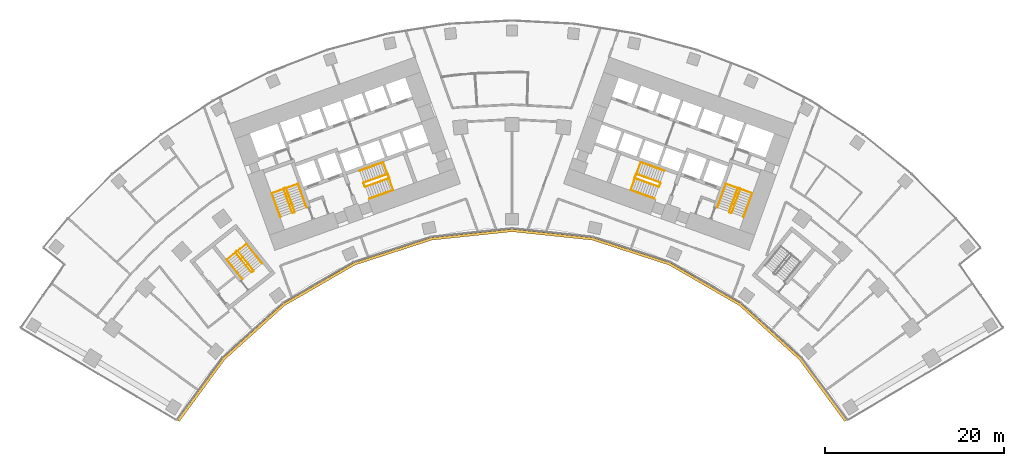
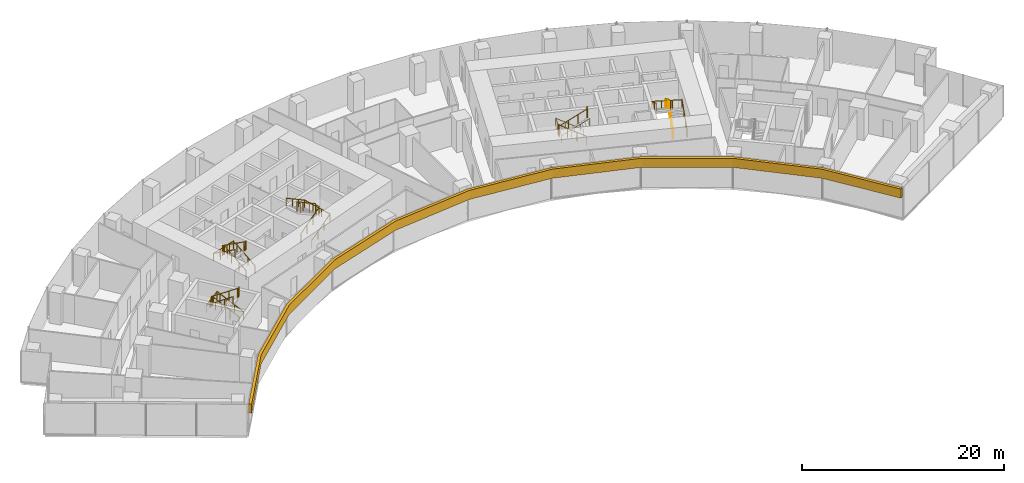
# One storey, part 20 of 21: 15 railings, 1 covering.
"""IFC4 building model written with IfcOpenShell, lengths in metres."""

from ifc_helpers import new_model, si_unit, direction, frame, origin, origin_2d, place, context, subcontext, project, spatial, polyline, circle, outline, extrude, material, layer, layer_set, type_object, element, save


model = new_model("IFC4")

# Units and contexts
model_context = context("Model", 3, precision=1e-05, world=origin(), true_north=direction((0.0, 1.0)))
body_context = subcontext(model_context, "Body", "Model", "MODEL_VIEW")
ifc_project = project(units=[si_unit("LENGTHUNIT", "METRE"), si_unit("AREAUNIT", "SQUARE_METRE"), si_unit("VOLUMEUNIT", "CUBIC_METRE"), si_unit("PLANEANGLEUNIT", "RADIAN"), si_unit("MASSUNIT", "GRAM", prefix="KILO")], contexts=[model_context])

# Site, building, storey
site_placement = place(None, origin())
site = spatial("IfcSite", under=ifc_project, at=site_placement, CompositionType="ELEMENT")
building_placement = place(site_placement, origin())
building = spatial("IfcBuilding", under=site, at=building_placement, Name="Stone Belt Terrace Tower", CompositionType="ELEMENT")
storey_placement = place(building_placement, frame((0.0, 0.0, 33.800048828125)))
storey = spatial("IfcBuildingStorey", under=building, at=storey_placement, Name="L07", CompositionType="ELEMENT", Elevation=33.800048828125)

# Railings
ifc_material_1 = material(Name="Structural steel C345", Category="steel")
railing_type_1 = type_object("IfcRailingType", Name="Stair guard 1100", PredefinedType="GUARDRAIL", material=ifc_material_1)
railing_1_placement = place(storey_placement, frame((-24.2119140625, 45.276123046875, 0.172607421875)))
element("IfcRailing", 1, at=railing_1_placement, inside=storey, type_object=railing_type_1, Name="L07 ST1A stair guard 1", PredefinedType="GUARDRAIL", context=body_context, shape_type="SweptSolid", body=[
    extrude(circle(Radius=0.02392578125, at=origin_2d()), frame((0.0, 0.0, 1.076171875), z_axis=(-0.288228637646, 0.800791768495, 0.525030280985), x_axis=(-0.940908529223, -0.338660803216, 0.0)), (0.0, 0.0, 1.0), 3.289794921875),
    extrude(circle(Radius=0.02392578125, at=origin_2d()), frame((-0.9482421875, 2.634521484375, 2.80322265625), z_axis=(-0.905209821074, 0.424964916, 0.0), x_axis=(-0.424964916, -0.905209821074, 0.0)), (0.0, 0.0, 1.0), 0.070556640625),
    extrude(circle(Radius=0.02392578125, at=origin_2d()), frame((-1.01220703125, 2.66455078125, 2.80322265625), z_axis=(-0.941105063269, -0.338114270461, 0.0), x_axis=(0.338114270461, -0.941105063269, 0.0)), (0.0, 0.0, 1.0), 0.199951171875),
    extrude(circle(Radius=0.02099609375, at=origin_2d()), origin(), (0.0, 0.0, 1.0), 1.052001953125),
    extrude(circle(Radius=0.02099609375, at=origin_2d()), frame((-0.316162109375, 0.878173828125, 0.57568359375)), (0.0, 0.0, 1.0), 1.052001953125),
    extrude(circle(Radius=0.02099609375, at=origin_2d()), frame((-0.632080078125, 1.75634765625, 1.151611328125)), (0.0, 0.0, 1.0), 1.052001953125),
    extrude(circle(Radius=0.02099609375, at=origin_2d()), frame((-0.9482421875, 2.634521484375, 1.727294921875)), (0.0, 0.0, 1.0), 1.052001953125),
    extrude(circle(Radius=0.02099609375, at=origin_2d()), frame((-1.01220703125, 2.66455078125, 1.727294921875)), (0.0, 0.0, 1.0), 1.052001953125),
    extrude(circle(Radius=0.02099609375, at=origin_2d()), frame((-1.200439453125, 2.596923828125, 1.727294921875)), (0.0, 0.0, 1.0), 1.052001953125),
])
railing_2_placement = place(storey_placement, frame((-25.4423828125, 47.80908203125, 2.07275390625)))
element("IfcRailing", 2, at=railing_2_placement, inside=storey, type_object=railing_type_1, Name="L07 ST1A stair guard 2", PredefinedType="GUARDRAIL", context=body_context, shape_type="SweptSolid", body=[
    extrude(circle(Radius=0.02392578125, at=origin_2d()), frame((0.0, 0.0, 1.076171875), z_axis=(0.288228637646, -0.800791768495, 0.525030280985), x_axis=(0.940908529223, 0.338660803216, 0.0)), (0.0, 0.0, 1.0), 3.289794921875),
    extrude(circle(Radius=0.02392578125, at=origin_2d()), frame((0.9482421875, -2.634521484375, 2.80322265625), z_axis=(0.903878284585, -0.427789722475, 0.0), x_axis=(0.427789722475, 0.903878284585, 0.0)), (0.0, 0.0, 1.0), 0.07080078125),
    extrude(circle(Radius=0.02392578125, at=origin_2d()), frame((1.01220703125, -2.664794921875, 2.80322265625), z_axis=(0.940575576748, 0.339584429008, 0.0), x_axis=(-0.339584429008, 0.940575576748, 0.0)), (0.0, 0.0, 1.0), 0.199951171875),
    extrude(circle(Radius=0.02099609375, at=origin_2d()), origin(), (0.0, 0.0, 1.0), 1.052001953125),
    extrude(circle(Radius=0.02099609375, at=origin_2d()), frame((0.316162109375, -0.878173828125, 0.57568359375)), (0.0, 0.0, 1.0), 1.052001953125),
    extrude(circle(Radius=0.02099609375, at=origin_2d()), frame((0.632080078125, -1.75634765625, 1.151611328125)), (0.0, 0.0, 1.0), 1.052001953125),
    extrude(circle(Radius=0.02099609375, at=origin_2d()), frame((0.9482421875, -2.634521484375, 1.727294921875)), (0.0, 0.0, 1.0), 1.052001953125),
    extrude(circle(Radius=0.02099609375, at=origin_2d()), frame((1.01220703125, -2.664794921875, 1.727294921875)), (0.0, 0.0, 1.0), 1.052001953125),
    extrude(circle(Radius=0.02099609375, at=origin_2d()), frame((1.2001953125, -2.596923828125, 1.727294921875)), (0.0, 0.0, 1.0), 1.052001953125),
])
railing_3_placement = place(storey_placement, frame((-16.33837890625, 48.056640625, 0.172607421875)))
element("IfcRailing", 3, at=railing_3_placement, inside=storey, type_object=railing_type_1, Name="L07 ST2A stair guard 1", PredefinedType="GUARDRAIL", context=body_context, shape_type="SweptSolid", body=[
    extrude(circle(Radius=0.02392578125, at=origin_2d()), frame((0.0, 0.0, 1.076171875), z_axis=(0.800808895155, 0.288160591223, 0.52504150989), x_axis=(-0.338583606334, 0.940936311087, 0.0)), (0.0, 0.0, 1.0), 3.289794921875),
    extrude(circle(Radius=0.02392578125, at=origin_2d()), frame((2.634521484375, 0.947998046875, 2.80322265625), z_axis=(0.427789722475, 0.903878284585, 0.0), x_axis=(-0.903878284585, 0.427789722475, 0.0)), (0.0, 0.0, 1.0), 0.07080078125),
    extrude(circle(Radius=0.02392578125, at=origin_2d()), frame((2.664794921875, 1.011962890625, 2.80322265625), z_axis=(-0.338654645739, 0.940910745459, 0.0), x_axis=(-0.940910745459, -0.338654645739, 0.0)), (0.0, 0.0, 1.0), 0.400146484375),
    extrude(circle(Radius=0.02099609375, at=origin_2d()), origin(), (0.0, 0.0, 1.0), 1.052001953125),
    extrude(circle(Radius=0.02099609375, at=origin_2d()), frame((0.878173828125, 0.31591796875, 0.57568359375)), (0.0, 0.0, 1.0), 1.052001953125),
    extrude(circle(Radius=0.02099609375, at=origin_2d()), frame((1.75634765625, 0.632080078125, 1.151611328125)), (0.0, 0.0, 1.0), 1.052001953125),
    extrude(circle(Radius=0.02099609375, at=origin_2d()), frame((2.634521484375, 0.947998046875, 1.727294921875)), (0.0, 0.0, 1.0), 1.052001953125),
    extrude(circle(Radius=0.02099609375, at=origin_2d()), frame((2.664794921875, 1.011962890625, 1.727294921875)), (0.0, 0.0, 1.0), 1.052001953125),
    extrude(circle(Radius=0.02099609375, at=origin_2d()), frame((2.529296875, 1.388427734375, 1.727294921875)), (0.0, 0.0, 1.0), 1.052001953125),
])
railing_4_placement = place(storey_placement, frame((-13.873046875, 49.47509765625, 2.07275390625)))
element("IfcRailing", 4, at=railing_4_placement, inside=storey, type_object=railing_type_1, Name="L07 ST2A stair guard 2", PredefinedType="GUARDRAIL", context=body_context, shape_type="SweptSolid", body=[
    extrude(circle(Radius=0.02392578125, at=origin_2d()), frame((0.0, 0.0, 1.076171875), z_axis=(-0.800808895155, -0.288160591223, 0.52504150989), x_axis=(0.338583606334, -0.940936311087, 0.0)), (0.0, 0.0, 1.0), 3.289794921875),
    extrude(circle(Radius=0.02392578125, at=origin_2d()), frame((-2.634521484375, -0.947998046875, 2.80322265625), z_axis=(-0.427789722475, -0.903878284585, 0.0), x_axis=(0.903878284585, -0.427789722475, 0.0)), (0.0, 0.0, 1.0), 0.07080078125),
    extrude(circle(Radius=0.02392578125, at=origin_2d()), frame((-2.664794921875, -1.011962890625, 2.80322265625), z_axis=(0.338654645739, -0.940910745459, 0.0), x_axis=(0.940910745459, 0.338654645739, 0.0)), (0.0, 0.0, 1.0), 0.400146484375),
    extrude(circle(Radius=0.02099609375, at=origin_2d()), origin(), (0.0, 0.0, 1.0), 1.052001953125),
    extrude(circle(Radius=0.02099609375, at=origin_2d()), frame((-0.878173828125, -0.31591796875, 0.57568359375)), (0.0, 0.0, 1.0), 1.052001953125),
    extrude(circle(Radius=0.02099609375, at=origin_2d()), frame((-1.75634765625, -0.632080078125, 1.151611328125)), (0.0, 0.0, 1.0), 1.052001953125),
    extrude(circle(Radius=0.02099609375, at=origin_2d()), frame((-2.634521484375, -0.947998046875, 1.727294921875)), (0.0, 0.0, 1.0), 1.052001953125),
    extrude(circle(Radius=0.02099609375, at=origin_2d()), frame((-2.664794921875, -1.011962890625, 1.727294921875)), (0.0, 0.0, 1.0), 1.052001953125),
    extrude(circle(Radius=0.02099609375, at=origin_2d()), frame((-2.529296875, -1.388427734375, 1.727294921875)), (0.0, 0.0, 1.0), 1.052001953125),
])
railing_5_placement = place(storey_placement, frame((24.494140625, 45.174560546875, 0.172607421875)))
element("IfcRailing", 5, at=railing_5_placement, inside=storey, type_object=railing_type_1, Name="L07 ST1B stair guard 1", PredefinedType="GUARDRAIL", context=body_context, shape_type="SweptSolid", body=[
    extrude(circle(Radius=0.02392578125, at=origin_2d()), frame((0.0, 0.0, 1.076171875), z_axis=(0.288228637646, 0.800791768495, 0.525030280985), x_axis=(-0.940908529223, 0.338660803216, 0.0)), (0.0, 0.0, 1.0), 3.289794921875),
    extrude(circle(Radius=0.02392578125, at=origin_2d()), frame((0.9482421875, 2.634521484375, 2.80322265625), z_axis=(-0.424964916, 0.905209821074, 0.0), x_axis=(-0.905209821074, -0.424964916, 0.0)), (0.0, 0.0, 1.0), 0.070556640625),
    extrude(circle(Radius=0.02392578125, at=origin_2d()), frame((0.918212890625, 2.698486328125, 2.80322265625), z_axis=(-0.941105063269, 0.338114270461, 0.0), x_axis=(-0.338114270461, -0.941105063269, 0.0)), (0.0, 0.0, 1.0), 0.199951171875),
    extrude(circle(Radius=0.02099609375, at=origin_2d()), origin(), (0.0, 0.0, 1.0), 1.052001953125),
    extrude(circle(Radius=0.02099609375, at=origin_2d()), frame((0.316162109375, 0.878173828125, 0.57568359375)), (0.0, 0.0, 1.0), 1.052001953125),
    extrude(circle(Radius=0.02099609375, at=origin_2d()), frame((0.632080078125, 1.75634765625, 1.151611328125)), (0.0, 0.0, 1.0), 1.052001953125),
    extrude(circle(Radius=0.02099609375, at=origin_2d()), frame((0.9482421875, 2.634521484375, 1.727294921875)), (0.0, 0.0, 1.0), 1.052001953125),
    extrude(circle(Radius=0.02099609375, at=origin_2d()), frame((0.918212890625, 2.698486328125, 1.727294921875)), (0.0, 0.0, 1.0), 1.052001953125),
    extrude(circle(Radius=0.02099609375, at=origin_2d()), frame((0.72998046875, 2.76611328125, 1.727294921875)), (0.0, 0.0, 1.0), 1.052001953125),
])
railing_6_placement = place(storey_placement, frame((25.16015625, 47.91064453125, 2.07275390625)))
element("IfcRailing", 6, at=railing_6_placement, inside=storey, type_object=railing_type_1, Name="L07 ST1B stair guard 2", PredefinedType="GUARDRAIL", context=body_context, shape_type="SweptSolid", body=[
    extrude(circle(Radius=0.02392578125, at=origin_2d()), frame((0.0, 0.0, 1.076171875), z_axis=(-0.288228637646, -0.800791768495, 0.525030280985), x_axis=(0.940908529223, -0.338660803216, 0.0)), (0.0, 0.0, 1.0), 3.289794921875),
    extrude(circle(Radius=0.02392578125, at=origin_2d()), frame((-0.9482421875, -2.634521484375, 2.80322265625), z_axis=(0.427789722475, -0.903878284585, 0.0), x_axis=(0.903878284585, 0.427789722475, 0.0)), (0.0, 0.0, 1.0), 0.07080078125),
    extrude(circle(Radius=0.02392578125, at=origin_2d()), frame((-0.91796875, -2.698486328125, 2.80322265625), z_axis=(0.940575576748, -0.339584429008, 0.0), x_axis=(0.339584429008, 0.940575576748, 0.0)), (0.0, 0.0, 1.0), 0.199951171875),
    extrude(circle(Radius=0.02099609375, at=origin_2d()), origin(), (0.0, 0.0, 1.0), 1.052001953125),
    extrude(circle(Radius=0.02099609375, at=origin_2d()), frame((-0.316162109375, -0.878173828125, 0.57568359375)), (0.0, 0.0, 1.0), 1.052001953125),
    extrude(circle(Radius=0.02099609375, at=origin_2d()), frame((-0.632080078125, -1.75634765625, 1.151611328125)), (0.0, 0.0, 1.0), 1.052001953125),
    extrude(circle(Radius=0.02099609375, at=origin_2d()), frame((-0.9482421875, -2.634521484375, 1.727294921875)), (0.0, 0.0, 1.0), 1.052001953125),
    extrude(circle(Radius=0.02099609375, at=origin_2d()), frame((-0.91796875, -2.698486328125, 1.727294921875)), (0.0, 0.0, 1.0), 1.052001953125),
    extrude(circle(Radius=0.02099609375, at=origin_2d()), frame((-0.72998046875, -2.766357421875, 1.727294921875)), (0.0, 0.0, 1.0), 1.052001953125),
])
railing_7_placement = place(storey_placement, frame((16.507568359375, 48.527099609375, 0.172607421875)))
element("IfcRailing", 7, at=railing_7_placement, inside=storey, type_object=railing_type_1, Name="L07 ST2B stair guard 1", PredefinedType="GUARDRAIL", context=body_context, shape_type="SweptSolid", body=[
    extrude(circle(Radius=0.02392578125, at=origin_2d()), frame((0.0, 0.0, 1.076171875), z_axis=(-0.800808895155, 0.288160591223, 0.52504150989), x_axis=(-0.338583606334, -0.940936311087, 0.0)), (0.0, 0.0, 1.0), 3.289794921875),
    extrude(circle(Radius=0.02392578125, at=origin_2d()), frame((-2.634521484375, 0.947998046875, 2.80322265625), z_axis=(-0.905209821074, -0.424964916, 0.0), x_axis=(0.424964916, -0.905209821074, 0.0)), (0.0, 0.0, 1.0), 0.070556640625),
    extrude(circle(Radius=0.02392578125, at=origin_2d()), frame((-2.698486328125, 0.91796875, 2.80322265625), z_axis=(-0.338654645739, -0.940910745459, 0.0), x_axis=(0.940910745459, -0.338654645739, 0.0)), (0.0, 0.0, 1.0), 0.400146484375),
    extrude(circle(Radius=0.02099609375, at=origin_2d()), origin(), (0.0, 0.0, 1.0), 1.052001953125),
    extrude(circle(Radius=0.02099609375, at=origin_2d()), frame((-0.878173828125, 0.31591796875, 0.57568359375)), (0.0, 0.0, 1.0), 1.052001953125),
    extrude(circle(Radius=0.02099609375, at=origin_2d()), frame((-1.75634765625, 0.632080078125, 1.151611328125)), (0.0, 0.0, 1.0), 1.052001953125),
    extrude(circle(Radius=0.02099609375, at=origin_2d()), frame((-2.634521484375, 0.947998046875, 1.727294921875)), (0.0, 0.0, 1.0), 1.052001953125),
    extrude(circle(Radius=0.02099609375, at=origin_2d()), frame((-2.698486328125, 0.91796875, 1.727294921875)), (0.0, 0.0, 1.0), 1.052001953125),
    extrude(circle(Radius=0.02099609375, at=origin_2d()), frame((-2.833984375, 0.54150390625, 1.727294921875)), (0.0, 0.0, 1.0), 1.052001953125),
])
railing_8_placement = place(storey_placement, frame((13.703857421875, 49.004638671875, 2.07275390625)))
element("IfcRailing", 8, at=railing_8_placement, inside=storey, type_object=railing_type_1, Name="L07 ST2B stair guard 2", PredefinedType="GUARDRAIL", context=body_context, shape_type="SweptSolid", body=[
    extrude(circle(Radius=0.02392578125, at=origin_2d()), frame((0.0, 0.0, 1.076171875), z_axis=(0.800808895155, -0.288160591223, 0.52504150989), x_axis=(0.338583606334, 0.940936311087, 0.0)), (0.0, 0.0, 1.0), 3.289794921875),
    extrude(circle(Radius=0.02392578125, at=origin_2d()), frame((2.634521484375, -0.947998046875, 2.80322265625), z_axis=(0.905209821074, 0.424964916, 0.0), x_axis=(-0.424964916, 0.905209821074, 0.0)), (0.0, 0.0, 1.0), 0.070556640625),
    extrude(circle(Radius=0.02392578125, at=origin_2d()), frame((2.698486328125, -0.91796875, 2.80322265625), z_axis=(0.338654645739, 0.940910745459, 0.0), x_axis=(-0.940910745459, 0.338654645739, 0.0)), (0.0, 0.0, 1.0), 0.400146484375),
    extrude(circle(Radius=0.02099609375, at=origin_2d()), origin(), (0.0, 0.0, 1.0), 1.052001953125),
    extrude(circle(Radius=0.02099609375, at=origin_2d()), frame((0.878173828125, -0.31591796875, 0.57568359375)), (0.0, 0.0, 1.0), 1.052001953125),
    extrude(circle(Radius=0.02099609375, at=origin_2d()), frame((1.75634765625, -0.632080078125, 1.151611328125)), (0.0, 0.0, 1.0), 1.052001953125),
    extrude(circle(Radius=0.02099609375, at=origin_2d()), frame((2.634521484375, -0.947998046875, 1.727294921875)), (0.0, 0.0, 1.0), 1.052001953125),
    extrude(circle(Radius=0.02099609375, at=origin_2d()), frame((2.698486328125, -0.91796875, 1.727294921875)), (0.0, 0.0, 1.0), 1.052001953125),
    extrude(circle(Radius=0.02099609375, at=origin_2d()), frame((2.833984375, -0.54150390625, 1.727294921875)), (0.0, 0.0, 1.0), 1.052001953125),
])
railing_9_placement = place(storey_placement, frame((-28.814208984375, 38.734619140625, 0.172607421875)))
element("IfcRailing", 9, at=railing_9_placement, inside=storey, type_object=railing_type_1, Name="L07 ST3A stair guard 1", PredefinedType="GUARDRAIL", context=body_context, shape_type="SweptSolid", body=[
    extrude(circle(Radius=0.02392578125, at=origin_2d()), frame((0.0, 0.0, 1.076171875), z_axis=(-0.530306321799, 0.665665785969, 0.525037395288), x_axis=(-0.782143211408, -0.623098705543, 0.0)), (0.0, 0.0, 1.0), 3.289794921875),
    extrude(circle(Radius=0.02392578125, at=origin_2d()), frame((-1.74462890625, 2.18994140625, 2.80322265625), z_axis=(-0.993883734674, 0.110431526075, 0.0), x_axis=(-0.110431526075, -0.993883734674, 0.0)), (0.0, 0.0, 1.0), 0.07080078125),
    extrude(circle(Radius=0.02392578125, at=origin_2d()), frame((-1.81494140625, 2.19775390625, 2.80322265625), z_axis=(-0.782533463299, -0.622608527742, 0.0), x_axis=(0.622608527742, -0.782533463299, 0.0)), (0.0, 0.0, 1.0), 0.199951171875),
    extrude(circle(Radius=0.02099609375, at=origin_2d()), origin(), (0.0, 0.0, 1.0), 1.052001953125),
    extrude(circle(Radius=0.02099609375, at=origin_2d()), frame((-0.58154296875, 0.72998046875, 0.57568359375)), (0.0, 0.0, 1.0), 1.052001953125),
    extrude(circle(Radius=0.02099609375, at=origin_2d()), frame((-1.1630859375, 1.4599609375, 1.151611328125)), (0.0, 0.0, 1.0), 1.052001953125),
    extrude(circle(Radius=0.02099609375, at=origin_2d()), frame((-1.74462890625, 2.18994140625, 1.727294921875)), (0.0, 0.0, 1.0), 1.052001953125),
    extrude(circle(Radius=0.02099609375, at=origin_2d()), frame((-1.81494140625, 2.19775390625, 1.727294921875)), (0.0, 0.0, 1.0), 1.052001953125),
    extrude(circle(Radius=0.02099609375, at=origin_2d()), frame((-1.971435546875, 2.0732421875, 1.727294921875)), (0.0, 0.0, 1.0), 1.052001953125),
])
railing_10_placement = place(storey_placement, frame((-30.793701171875, 40.737548828125, 2.07275390625)))
element("IfcRailing", 10, at=railing_10_placement, inside=storey, type_object=railing_type_1, Name="L07 ST3A stair guard 2", PredefinedType="GUARDRAIL", context=body_context, shape_type="SweptSolid", body=[
    extrude(circle(Radius=0.02392578125, at=origin_2d()), frame((0.0, 0.0, 1.076171875), z_axis=(0.530359659125, -0.665639588968, 0.525016732659), x_axis=(0.782100716982, 0.62315204284, 0.0)), (0.0, 0.0, 1.0), 3.2900390625),
    extrude(circle(Radius=0.02392578125, at=origin_2d()), frame((1.744873046875, -2.18994140625, 2.80322265625), z_axis=(0.993499272973, -0.113838458361, 0.0), x_axis=(0.113838458361, 0.993499272973, 0.0)), (0.0, 0.0, 1.0), 0.07080078125),
    extrude(circle(Radius=0.02392578125, at=origin_2d()), frame((1.815185546875, -2.197998046875, 2.80322265625), z_axis=(0.781464082609, 0.623950228458, 0.0), x_axis=(-0.623950228458, 0.781464082609, 0.0)), (0.0, 0.0, 1.0), 0.199951171875),
    extrude(circle(Radius=0.02099609375, at=origin_2d()), origin(), (0.0, 0.0, 1.0), 1.052001953125),
    extrude(circle(Radius=0.02099609375, at=origin_2d()), frame((0.58154296875, -0.72998046875, 0.57568359375)), (0.0, 0.0, 1.0), 1.052001953125),
    extrude(circle(Radius=0.02099609375, at=origin_2d()), frame((1.163330078125, -1.4599609375, 1.151611328125)), (0.0, 0.0, 1.0), 1.052001953125),
    extrude(circle(Radius=0.02099609375, at=origin_2d()), frame((1.744873046875, -2.18994140625, 1.727294921875)), (0.0, 0.0, 1.0), 1.052001953125),
    extrude(circle(Radius=0.02099609375, at=origin_2d()), frame((1.815185546875, -2.197998046875, 1.727294921875)), (0.0, 0.0, 1.0), 1.052001953125),
    extrude(circle(Radius=0.02099609375, at=origin_2d()), frame((1.971435546875, -2.0732421875, 1.727294921875)), (0.0, 0.0, 1.0), 1.052001953125),
])
railing_type_2 = type_object("IfcRailingType", Name="Stair handrail 900", PredefinedType="HANDRAIL", material=ifc_material_1)
railing_11_placement = place(storey_placement, frame((-22.894775390625, 45.750244140625, 0.172607421875)))
element("IfcRailing", 11, at=railing_11_placement, inside=storey, type_object=railing_type_2, Name="L07 ST1A stair handrail 1", PredefinedType="HANDRAIL", context=body_context, shape_type="SweptSolid", body=[
    extrude(circle(Radius=0.02392578125, at=origin_2d()), frame((0.0, 0.0, 0.8759765625), z_axis=(-0.288160591223, 0.800808895155, 0.52504150989), x_axis=(-0.940936311087, -0.338583606334, 0.0)), (0.0, 0.0, 1.0), 3.289794921875),
    extrude(circle(Radius=0.02392578125, at=origin_2d()), frame((-0.947998046875, 2.634521484375, 2.60302734375), z_axis=(-0.939460408074, -0.338105101667, 0.055669398135), x_axis=(0.338630230244, -0.940919532779, 0.0)), (0.0, 0.0, 1.0), 3.10498046875),
    extrude(circle(Radius=0.02392578125, at=origin_2d()), frame((-3.864990234375, 1.584716796875, 2.77587890625), z_axis=(0.288228637646, -0.800791768495, 0.525030280985), x_axis=(0.940908529223, 0.338660803216, 0.0)), (0.0, 0.0, 1.0), 3.289794921875),
    extrude(circle(Radius=0.02099609375, at=origin_2d()), origin(), (0.0, 0.0, 1.0), 0.851806640625),
    extrude(circle(Radius=0.02099609375, at=origin_2d()), frame((-0.31591796875, 0.878173828125, 0.57568359375)), (0.0, 0.0, 1.0), 0.851806640625),
    extrude(circle(Radius=0.02099609375, at=origin_2d()), frame((-0.632080078125, 1.75634765625, 1.151611328125)), (0.0, 0.0, 1.0), 0.851806640625),
    extrude(circle(Radius=0.02099609375, at=origin_2d()), frame((-0.947998046875, 2.634521484375, 1.727294921875)), (0.0, 0.0, 1.0), 0.851806640625),
    extrude(circle(Radius=0.02099609375, at=origin_2d()), frame((-1.92041015625, 2.28466796875, 1.784912109375)), (0.0, 0.0, 1.0), 0.851806640625),
    extrude(circle(Radius=0.02099609375, at=origin_2d()), frame((-2.892578125, 1.9345703125, 1.842529296875)), (0.0, 0.0, 1.0), 0.851806640625),
    extrude(circle(Radius=0.02099609375, at=origin_2d()), frame((-3.864990234375, 1.584716796875, 1.900146484375)), (0.0, 0.0, 1.0), 0.851806640625),
    extrude(circle(Radius=0.02099609375, at=origin_2d()), frame((-3.548828125, 0.70654296875, 2.475830078125)), (0.0, 0.0, 1.0), 0.851806640625),
    extrude(circle(Radius=0.02099609375, at=origin_2d()), frame((-3.23291015625, -0.171630859375, 3.0517578125)), (0.0, 0.0, 1.0), 0.851806640625),
    extrude(circle(Radius=0.02099609375, at=origin_2d()), frame((-2.916748046875, -1.0498046875, 3.62744140625)), (0.0, 0.0, 1.0), 0.851806640625),
])
railing_12_placement = place(storey_placement, frame((-15.8642578125, 46.7392578125, 0.172607421875)))
element("IfcRailing", 12, at=railing_12_placement, inside=storey, type_object=railing_type_2, Name="L07 ST2A stair handrail 1", PredefinedType="HANDRAIL", context=body_context, shape_type="SweptSolid", body=[
    extrude(circle(Radius=0.02392578125, at=origin_2d()), frame((0.0, 0.0, 0.8759765625), z_axis=(0.800791768495, 0.288228637646, 0.525030280985), x_axis=(-0.338660803216, 0.940908529223, 0.0)), (0.0, 0.0, 1.0), 3.289794921875),
    extrude(circle(Radius=0.02392578125, at=origin_2d()), frame((2.634521484375, 0.9482421875, 2.60302734375), z_axis=(-0.338158948057, 0.939634149308, 0.052308615955), x_axis=(-0.940922302781, -0.338622533404, 0.0)), (0.0, 0.0, 1.0), 3.304443359375),
    extrude(circle(Radius=0.02392578125, at=origin_2d()), frame((1.51708984375, 4.05322265625, 2.77587890625), z_axis=(-0.800791768495, -0.288228637646, 0.525030280985), x_axis=(0.338660803216, -0.940908529223, 0.0)), (0.0, 0.0, 1.0), 3.289794921875),
    extrude(circle(Radius=0.02099609375, at=origin_2d()), origin(), (0.0, 0.0, 1.0), 0.851806640625),
    extrude(circle(Radius=0.02099609375, at=origin_2d()), frame((0.878173828125, 0.316162109375, 0.57568359375)), (0.0, 0.0, 1.0), 0.851806640625),
    extrude(circle(Radius=0.02099609375, at=origin_2d()), frame((1.75634765625, 0.632080078125, 1.151611328125)), (0.0, 0.0, 1.0), 0.851806640625),
    extrude(circle(Radius=0.02099609375, at=origin_2d()), frame((2.634521484375, 0.9482421875, 1.727294921875)), (0.0, 0.0, 1.0), 0.851806640625),
    extrude(circle(Radius=0.02099609375, at=origin_2d()), frame((2.261962890625, 1.983154296875, 1.784912109375)), (0.0, 0.0, 1.0), 0.851806640625),
    extrude(circle(Radius=0.02099609375, at=origin_2d()), frame((1.8896484375, 3.018310546875, 1.842529296875)), (0.0, 0.0, 1.0), 0.851806640625),
    extrude(circle(Radius=0.02099609375, at=origin_2d()), frame((1.51708984375, 4.05322265625, 1.900146484375)), (0.0, 0.0, 1.0), 0.851806640625),
    extrude(circle(Radius=0.02099609375, at=origin_2d()), frame((0.638916015625, 3.737060546875, 2.475830078125)), (0.0, 0.0, 1.0), 0.851806640625),
    extrude(circle(Radius=0.02099609375, at=origin_2d()), frame((-0.2392578125, 3.421142578125, 3.0517578125)), (0.0, 0.0, 1.0), 0.851806640625),
    extrude(circle(Radius=0.02099609375, at=origin_2d()), frame((-1.117431640625, 3.10498046875, 3.62744140625)), (0.0, 0.0, 1.0), 0.851806640625),
])
railing_13_placement = place(storey_placement, frame((25.8115234375, 44.700439453125, 0.172607421875)))
element("IfcRailing", 13, at=railing_13_placement, inside=storey, type_object=railing_type_2, Name="L07 ST1B stair handrail 1", PredefinedType="HANDRAIL", context=body_context, shape_type="SweptSolid", body=[
    extrude(circle(Radius=0.02392578125, at=origin_2d()), frame((0.0, 0.0, 0.8759765625), z_axis=(0.288228637646, 0.800791768495, 0.525030280985), x_axis=(-0.940908529223, 0.338660803216, 0.0)), (0.0, 0.0, 1.0), 3.289794921875),
    extrude(circle(Radius=0.02392578125, at=origin_2d()), frame((0.9482421875, 2.634521484375, 2.60302734375), z_axis=(-0.939460408074, 0.338105101667, 0.055669398135), x_axis=(-0.338630230244, -0.940919532779, 0.0)), (0.0, 0.0, 1.0), 3.10498046875),
    extrude(circle(Radius=0.02392578125, at=origin_2d()), frame((-1.96875, 3.684326171875, 2.77587890625), z_axis=(-0.288160591223, -0.800808895155, 0.52504150989), x_axis=(0.940936311087, -0.338583606334, 0.0)), (0.0, 0.0, 1.0), 3.289794921875),
    extrude(circle(Radius=0.02099609375, at=origin_2d()), origin(), (0.0, 0.0, 1.0), 0.851806640625),
    extrude(circle(Radius=0.02099609375, at=origin_2d()), frame((0.316162109375, 0.878173828125, 0.57568359375)), (0.0, 0.0, 1.0), 0.851806640625),
    extrude(circle(Radius=0.02099609375, at=origin_2d()), frame((0.632080078125, 1.75634765625, 1.151611328125)), (0.0, 0.0, 1.0), 0.851806640625),
    extrude(circle(Radius=0.02099609375, at=origin_2d()), frame((0.9482421875, 2.634521484375, 1.727294921875)), (0.0, 0.0, 1.0), 0.851806640625),
    extrude(circle(Radius=0.02099609375, at=origin_2d()), frame((-0.024169921875, 2.984375, 1.784912109375)), (0.0, 0.0, 1.0), 0.851806640625),
    extrude(circle(Radius=0.02099609375, at=origin_2d()), frame((-0.996337890625, 3.33447265625, 1.842529296875)), (0.0, 0.0, 1.0), 0.851806640625),
    extrude(circle(Radius=0.02099609375, at=origin_2d()), frame((-1.96875, 3.684326171875, 1.900146484375)), (0.0, 0.0, 1.0), 0.851806640625),
    extrude(circle(Radius=0.02099609375, at=origin_2d()), frame((-2.28466796875, 2.80615234375, 2.475830078125)), (0.0, 0.0, 1.0), 0.851806640625),
    extrude(circle(Radius=0.02099609375, at=origin_2d()), frame((-2.600830078125, 1.927978515625, 3.0517578125)), (0.0, 0.0, 1.0), 0.851806640625),
    extrude(circle(Radius=0.02099609375, at=origin_2d()), frame((-2.916748046875, 1.0498046875, 3.62744140625)), (0.0, 0.0, 1.0), 0.851806640625),
])
railing_14_placement = place(storey_placement, frame((16.981689453125, 49.84423828125, 0.172607421875)))
element("IfcRailing", 14, at=railing_14_placement, inside=storey, type_object=railing_type_2, Name="L07 ST2B stair handrail 1", PredefinedType="HANDRAIL", context=body_context, shape_type="SweptSolid", body=[
    extrude(circle(Radius=0.02392578125, at=origin_2d()), frame((0.0, 0.0, 0.8759765625), z_axis=(-0.800791768495, 0.288228637646, 0.525030280985), x_axis=(-0.338660803216, -0.940908529223, 0.0)), (0.0, 0.0, 1.0), 3.289794921875),
    extrude(circle(Radius=0.02392578125, at=origin_2d()), frame((-2.634521484375, 0.9482421875, 2.60302734375), z_axis=(-0.338158948057, -0.939634149308, 0.052308615955), x_axis=(0.940922302781, -0.338622533404, 0.0)), (0.0, 0.0, 1.0), 3.304443359375),
    extrude(circle(Radius=0.02392578125, at=origin_2d()), frame((-3.751953125, -2.15673828125, 2.77587890625), z_axis=(0.800791768495, -0.288228637646, 0.525030280985), x_axis=(0.338660803216, 0.940908529223, 0.0)), (0.0, 0.0, 1.0), 3.289794921875),
    extrude(circle(Radius=0.02099609375, at=origin_2d()), origin(), (0.0, 0.0, 1.0), 0.851806640625),
    extrude(circle(Radius=0.02099609375, at=origin_2d()), frame((-0.878173828125, 0.316162109375, 0.57568359375)), (0.0, 0.0, 1.0), 0.851806640625),
    extrude(circle(Radius=0.02099609375, at=origin_2d()), frame((-1.75634765625, 0.632080078125, 1.151611328125)), (0.0, 0.0, 1.0), 0.851806640625),
    extrude(circle(Radius=0.02099609375, at=origin_2d()), frame((-2.634521484375, 0.9482421875, 1.727294921875)), (0.0, 0.0, 1.0), 0.851806640625),
    extrude(circle(Radius=0.02099609375, at=origin_2d()), frame((-3.007080078125, -0.086669921875, 1.784912109375)), (0.0, 0.0, 1.0), 0.851806640625),
    extrude(circle(Radius=0.02099609375, at=origin_2d()), frame((-3.37939453125, -1.121826171875, 1.842529296875)), (0.0, 0.0, 1.0), 0.851806640625),
    extrude(circle(Radius=0.02099609375, at=origin_2d()), frame((-3.751953125, -2.15673828125, 1.900146484375)), (0.0, 0.0, 1.0), 0.851806640625),
    extrude(circle(Radius=0.02099609375, at=origin_2d()), frame((-2.873779296875, -2.472900390625, 2.475830078125)), (0.0, 0.0, 1.0), 0.851806640625),
    extrude(circle(Radius=0.02099609375, at=origin_2d()), frame((-1.99560546875, -2.788818359375, 3.0517578125)), (0.0, 0.0, 1.0), 0.851806640625),
    extrude(circle(Radius=0.02099609375, at=origin_2d()), frame((-1.117431640625, -3.10498046875, 3.62744140625)), (0.0, 0.0, 1.0), 0.851806640625),
])
railing_15_placement = place(storey_placement, frame((-27.836669921875, 39.513427734375, 0.172607421875)))
element("IfcRailing", 15, at=railing_15_placement, inside=storey, type_object=railing_type_2, Name="L07 ST3A stair handrail 1", PredefinedType="HANDRAIL", context=body_context, shape_type="SweptSolid", body=[
    extrude(circle(Radius=0.02392578125, at=origin_2d()), frame((0.0, 0.0, 0.8759765625), z_axis=(-0.530306321799, 0.665665785969, 0.525037395288), x_axis=(-0.782143211408, -0.623098705543, 0.0)), (0.0, 0.0, 1.0), 3.289794921875),
    extrude(circle(Radius=0.02392578125, at=origin_2d()), frame((-1.74462890625, 2.18994140625, 2.60302734375), z_axis=(-0.78065703189, -0.621914732429, 0.061617076765), x_axis=(0.623098705543, -0.782143211408, 0.0)), (0.0, 0.0, 1.0), 2.80517578125),
    extrude(circle(Radius=0.02392578125, at=origin_2d()), frame((-3.9345703125, 0.4453125, 2.77587890625), z_axis=(0.530306321799, -0.665665785969, 0.525037395288), x_axis=(0.782143211408, 0.623098705543, 0.0)), (0.0, 0.0, 1.0), 3.289794921875),
    extrude(circle(Radius=0.02099609375, at=origin_2d()), origin(), (0.0, 0.0, 1.0), 0.851806640625),
    extrude(circle(Radius=0.02099609375, at=origin_2d()), frame((-0.58154296875, 0.72998046875, 0.57568359375)), (0.0, 0.0, 1.0), 0.851806640625),
    extrude(circle(Radius=0.02099609375, at=origin_2d()), frame((-1.1630859375, 1.4599609375, 1.151611328125)), (0.0, 0.0, 1.0), 0.851806640625),
    extrude(circle(Radius=0.02099609375, at=origin_2d()), frame((-1.74462890625, 2.18994140625, 1.727294921875)), (0.0, 0.0, 1.0), 0.851806640625),
    extrude(circle(Radius=0.02099609375, at=origin_2d()), frame((-2.474609375, 1.6083984375, 1.784912109375)), (0.0, 0.0, 1.0), 0.851806640625),
    extrude(circle(Radius=0.02099609375, at=origin_2d()), frame((-3.20458984375, 1.02685546875, 1.842529296875)), (0.0, 0.0, 1.0), 0.851806640625),
    extrude(circle(Radius=0.02099609375, at=origin_2d()), frame((-3.9345703125, 0.4453125, 1.900146484375)), (0.0, 0.0, 1.0), 0.851806640625),
    extrude(circle(Radius=0.02099609375, at=origin_2d()), frame((-3.35302734375, -0.28466796875, 2.475830078125)), (0.0, 0.0, 1.0), 0.851806640625),
    extrude(circle(Radius=0.02099609375, at=origin_2d()), frame((-2.771484375, -1.0146484375, 3.0517578125)), (0.0, 0.0, 1.0), 0.851806640625),
    extrude(circle(Radius=0.02099609375, at=origin_2d()), frame((-2.18994140625, -1.74462890625, 3.62744140625)), (0.0, 0.0, 1.0), 0.851806640625),
])

# Covering
ifc_material_2 = material(Name="Terracotta coloured glazed ceramic", Category="masonry")
ifc_layer = layer(ifc_material_2, 0.300048828125)
ifc_layer_set = layer_set([ifc_layer], Name="Terracotta spandrel band 300 x 1100")
covering_type = type_object("IfcCoveringType", Name="Terracotta spandrel band 300 x 1100", PredefinedType="CLADDING", material=ifc_layer_set)
covering_placement = place(storey_placement, frame((0.0, 0.0, 2.699951171875)))
element("IfcCovering", 16, at=covering_placement, inside=storey, type_object=covering_type, Name="BAND L07", PredefinedType="CLADDING", context=body_context, shape_type="SweptSolid", body=[
    extrude(outline(polyline([(-37.3134765625, 22.068115234375), (-32.215087890625, 29.006103515625), (-25.47998046875, 35.0703125), (-17.631591796875, 39.6015625), (-9.0126953125, 42.40185546875), (0.0, 43.34912109375), (9.0126953125, 42.40185546875), (17.631591796875, 39.6015625), (25.47998046875, 35.0703125), (32.215087890625, 29.006103515625), (37.3134765625, 22.068115234375), (37.071533203125, 21.890380859375), (31.991455078125, 28.8037109375), (25.302734375, 34.826171875), (17.509033203125, 39.325927734375), (8.9501953125, 42.10693359375), (0.0, 43.047607421875), (-8.9501953125, 42.10693359375), (-17.509033203125, 39.325927734375), (-25.302734375, 34.826171875), (-31.991455078125, 28.8037109375), (-37.071533203125, 21.890380859375), (-37.3134765625, 22.068115234375)])), origin(), (0.0, 0.0, 1.0), 1.10009765625),
])

save(model, "model.ifc")
